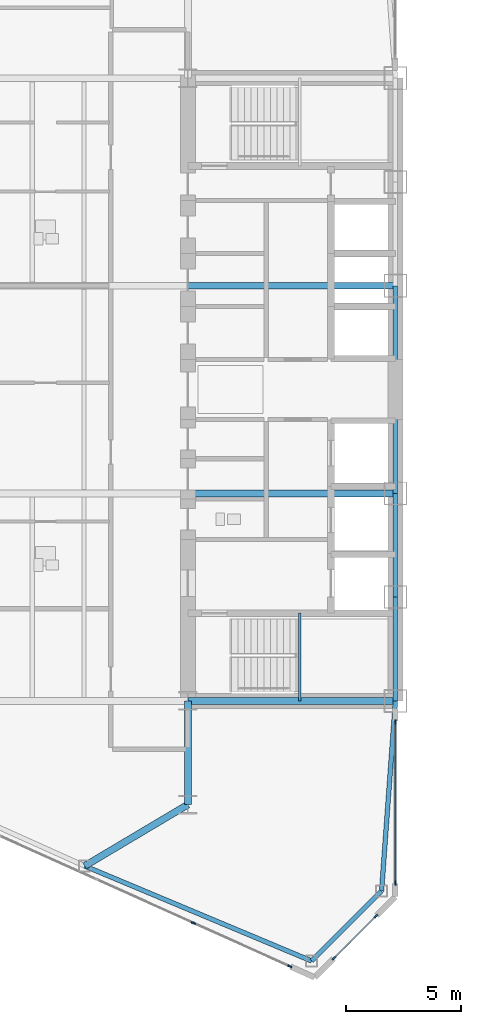
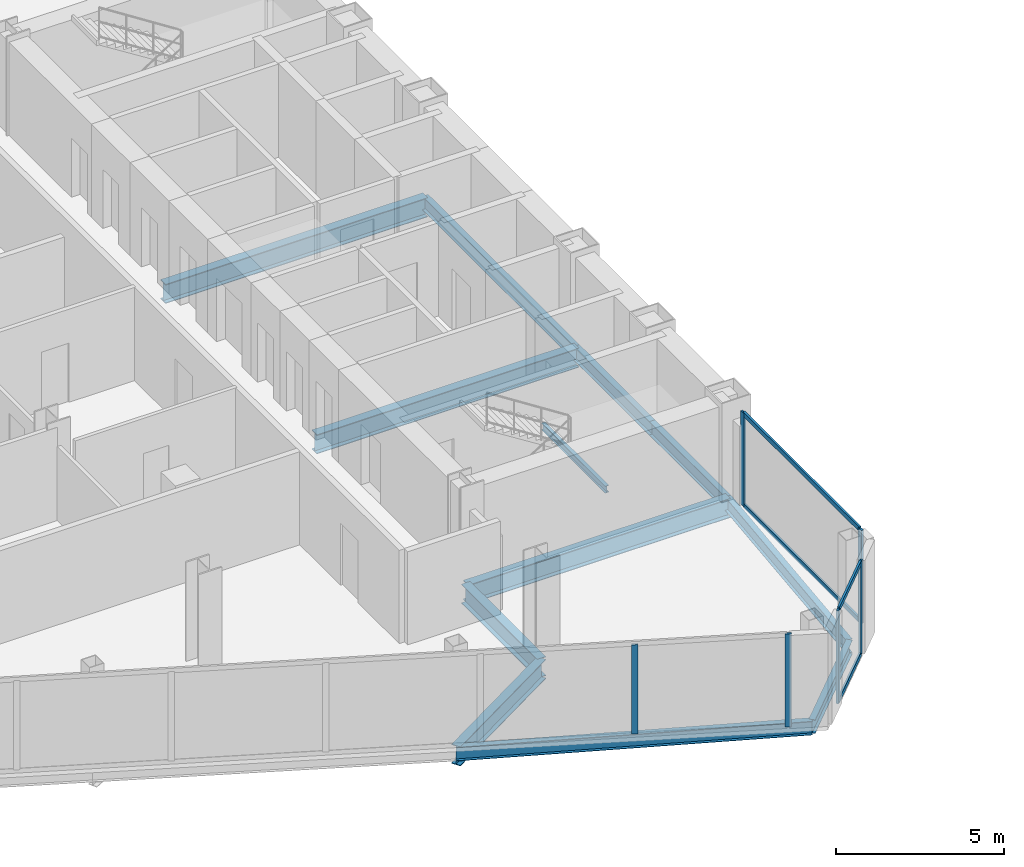
# One storey, part 6 of 27: 12 beams, 10 members, 3 elements without a shape of their own.
"""IFC4 building model written with IfcOpenShell, lengths in metres."""

import ifcopenshell
import ifcopenshell.guid

model = None  # the IFC model being written
_history = None  # IfcOwnerHistory: only IFC2X3 demands one
_inside = {}  # id of a spatial element -> (the spatial element, [elements in it])
_under = {}  # id of a project, library or spatial element -> (it, [spatial elements below it])
_declared = {}  # id of a project -> (the project, [libraries it declares])
_typed = {}  # id of a type object -> (the type object, [elements of that type])
_made_of = {}  # id of a material, layer set ... -> (it, [elements and type objects made of it])


def new_model(schema):
    """Start an empty IFC model of exactly this schema.

    Asked for "IFC4X3", IfcOpenShell would pick the latest addendum, in which some entities
    have other attributes; the version numbers below select the first issue.
    IFC2X3 requires an IfcOwnerHistory on every rooted entity: one is made here for all.
    """
    global model, _history
    if schema == "IFC4X3":
        model = ifcopenshell.file(schema_version=(4, 3, 0, 0))
    else:
        model = ifcopenshell.file(schema=schema)
    _inside.clear()
    _under.clear()
    _declared.clear()
    _typed.clear()
    _made_of.clear()
    _history = None
    if model.schema == "IFC2X3":
        org = make("IfcOrganization", Name="unknown")
        user = make(
            "IfcPersonAndOrganization",
            ThePerson=make("IfcPerson", FamilyName="unknown"),
            TheOrganization=org,
        )
        app = make(
            "IfcApplication",
            ApplicationDeveloper=org,
            Version="unknown",
            ApplicationFullName="unknown",
            ApplicationIdentifier="unknown",
        )
        _history = make(
            "IfcOwnerHistory",
            OwningUser=user,
            OwningApplication=app,
            ChangeAction="ADDED",
            CreationDate=0,
        )
    return model


def make(cls, **values):
    """One entity of the class cls with the attributes given. An attribute that is None is left unset."""
    return model.create_entity(
        cls, **{name: value for name, value in values.items() if value is not None}
    )


def rooted(cls, **values):
    """An entity with a GlobalId (a new one), such as an element, a storey or a relation."""
    return make(cls, GlobalId=ifcopenshell.guid.new(), OwnerHistory=_history, **values)


def si_unit(unit_type, name, prefix=None):
    """IfcSIUnit, for example si_unit("LENGTHUNIT", "METRE", prefix="MILLI")."""
    return make("IfcSIUnit", UnitType=unit_type, Prefix=prefix, Name=name)


def assignment(units):
    """IfcUnitAssignment: the units of a project."""
    return None if units is None else make("IfcUnitAssignment", Units=units)


def point(xyz):
    """IfcCartesianPoint."""
    return None if xyz is None else make("IfcCartesianPoint", Coordinates=xyz)


def direction(xyz):
    """IfcDirection."""
    return None if xyz is None else make("IfcDirection", DirectionRatios=xyz)


def frame(location, z_axis=None, x_axis=None):
    """IfcAxis2Placement3D, a coordinate frame: its origin and axes. An axis left out is left unset."""
    return make(
        "IfcAxis2Placement3D",
        Location=point(location),
        Axis=direction(z_axis),
        RefDirection=direction(x_axis),
    )


def frame_2d(location, x_axis=None):
    """IfcAxis2Placement2D, a coordinate frame in the plane: its origin and x axis."""
    return make(
        "IfcAxis2Placement2D", Location=point(location), RefDirection=direction(x_axis)
    )


def origin():
    """The frame at (0, 0, 0) with its axes left unset."""
    return frame((0.0, 0.0, 0.0))


def origin_2d():
    """The frame at (0, 0) in the plane with its x axis left unset."""
    return frame_2d((0.0, 0.0))


def place(relative_to, where):
    """IfcLocalPlacement: puts the frame where relative to a parent placement (None: the world)."""
    return make(
        "IfcLocalPlacement", PlacementRelTo=relative_to, RelativePlacement=where
    )


def context(
    kind, dimensions, precision=None, world=None, true_north=None, identifier=None
):
    """IfcGeometricRepresentationContext, for example the 3D "Model" context."""
    return make(
        "IfcGeometricRepresentationContext",
        ContextIdentifier=identifier,
        ContextType=kind,
        CoordinateSpaceDimension=dimensions,
        Precision=precision,
        WorldCoordinateSystem=world,
        TrueNorth=true_north,
    )


def subcontext(parent, identifier, kind, view, scale=None):
    """IfcGeometricRepresentationSubContext, for example "Body" below "Model"."""
    return make(
        "IfcGeometricRepresentationSubContext",
        ContextIdentifier=identifier,
        ContextType=kind,
        ParentContext=parent,
        TargetScale=scale,
        TargetView=view,
    )


def project(units=None, contexts=None):
    """IfcProject with its units and contexts."""
    return rooted(
        "IfcProject",
        Name="project",
        RepresentationContexts=contexts,
        UnitsInContext=assignment(units),
    )


def spatial(cls, under=None, at=None, **own):
    """A site, building, storey or space (cls), placed at a placement, below another one or the project."""
    s = rooted(cls, ObjectPlacement=at, **own)
    if under is not None:
        _under.setdefault(under.id(), (under, []))[1].append(s)
    return s


def profile(cls, at=None, kind="AREA", **sizes):
    """A parametric profile (cls). Its sizes go by their IFC names, for example OverallWidth=200.0."""
    return make(cls, ProfileType=kind, Position=at, **sizes)


def rectangle(**sizes):
    """IfcRectangleProfileDef."""
    return profile("IfcRectangleProfileDef", **sizes)


def i_section(**sizes):
    """IfcIShapeProfileDef."""
    return profile("IfcIShapeProfileDef", **sizes)


def extrude(swept, where, along, depth):
    """IfcExtrudedAreaSolid: the profile swept, set in the frame where, extruded along a direction by depth."""
    return make(
        "IfcExtrudedAreaSolid",
        SweptArea=swept,
        Position=where,
        ExtrudedDirection=direction(along),
        Depth=depth,
    )


def shape(context_of_items, identifier, shape_type, items):
    """IfcShapeRepresentation: the items that make up one representation, for example the "Body"."""
    return make(
        "IfcShapeRepresentation",
        ContextOfItems=context_of_items,
        RepresentationIdentifier=identifier,
        RepresentationType=shape_type,
        Items=items,
    )


def source(mapping_origin, context_of_items, identifier, shape_type, items):
    """IfcRepresentationMap: a shape defined once, which mapped items show again and again."""
    return make(
        "IfcRepresentationMap",
        MappingOrigin=mapping_origin,
        MappedRepresentation=shape(context_of_items, identifier, shape_type, items),
    )


def transform(
    local_origin,
    x_axis=None,
    y_axis=None,
    z_axis=None,
    scale=None,
    scale2=None,
    scale3=None,
    uniform=True,
):
    """IfcCartesianTransformationOperator3D, or its non-uniform kind. x_axis, y_axis, z_axis: its Axis1, 2, 3."""
    if uniform:
        return make(
            "IfcCartesianTransformationOperator3D",
            Axis1=direction(x_axis),
            Axis2=direction(y_axis),
            LocalOrigin=point(local_origin),
            Scale=scale,
            Axis3=direction(z_axis),
        )
    return make(
        "IfcCartesianTransformationOperator3DnonUniform",
        Axis1=direction(x_axis),
        Axis2=direction(y_axis),
        LocalOrigin=point(local_origin),
        Scale=scale,
        Axis3=direction(z_axis),
        Scale2=scale2,
        Scale3=scale3,
    )


def mapped(mapping_source, mapping_target):
    """IfcMappedItem: shows the shape of a source again, moved by a transform."""
    return make(
        "IfcMappedItem", MappingSource=mapping_source, MappingTarget=mapping_target
    )


def material(Name=None, Category=None):
    """IfcMaterial."""
    return make("IfcMaterial", Name=Name, Category=Category)


def layer(
    of_material, thickness, ventilated=None, Name=None, Category=None, Priority=None
):
    """IfcMaterialLayer: one layer of a wall or slab, of a material (None: an air gap)."""
    return make(
        "IfcMaterialLayer",
        Material=of_material,
        LayerThickness=thickness,
        IsVentilated=ventilated,
        Name=Name,
        Category=Category,
        Priority=Priority,
    )


def layer_set(layers, Name=None):
    """IfcMaterialLayerSet."""
    return make("IfcMaterialLayerSet", MaterialLayers=layers, LayerSetName=Name)


def material_profile(
    of_material, cross_section, Name=None, Category=None, Priority=None
):
    """IfcMaterialProfile: a cross section and its material."""
    return make(
        "IfcMaterialProfile",
        Name=Name,
        Material=of_material,
        Profile=cross_section,
        Priority=Priority,
        Category=Category,
    )


def profile_set(profiles, Name=None, composite=None):
    """IfcMaterialProfileSet."""
    return make(
        "IfcMaterialProfileSet",
        Name=Name,
        MaterialProfiles=profiles,
        CompositeProfile=composite,
    )


def made_of(thing, what):
    """Note that an element or type object is made of a material, layer set ...; save() writes the relation."""
    if what is not None:
        _made_of.setdefault(what.id(), (what, []))[1].append(thing)
    return thing


def type_object(cls, material=None, **own):
    """A type object (cls), such as IfcWallType, which elements share."""
    return made_of(rooted(cls, **own), material)


def type_shapes(of_type, sources):
    """Give a type object the sources (RepresentationMaps) that its elements show as mapped items."""
    of_type.RepresentationMaps = sources


def element(
    cls,
    number,
    at=None,
    inside=None,
    cuts=None,
    type_object=None,
    material=None,
    context=None,
    identifier="Body",
    shape_type=None,
    held_by="IfcProductDefinitionShape",
    body=None,
    shapes=None,
    **own,
):
    """One element of the class cls, such as IfcWall. Its Tag is "e" and its number.

    at: its placement. inside: the storey or other place that contains it. cuts: it is an
    opening in that element (IfcRelVoidsElement). A single representation is given by context,
    identifier, shape_type and body (its items); several are given by shapes. held_by: the class
    of the entity that holds the representations. save() writes the other relations.
    """
    e = rooted(cls, Tag="e%d" % number, ObjectPlacement=at, **own)
    if body is not None:
        shapes = [shape(context, identifier, shape_type, body)]
    if shapes is not None:
        e.Representation = make(held_by, Representations=shapes)
    if inside is not None:
        _inside.setdefault(inside.id(), (inside, []))[1].append(e)
    if cuts is not None:
        rooted(
            "IfcRelVoidsElement", RelatingBuildingElement=cuts, RelatedOpeningElement=e
        )
    if type_object is not None:
        _typed.setdefault(type_object.id(), (type_object, []))[1].append(e)
    return made_of(e, material)


def aggregate(whole, parts):
    """IfcRelAggregates: a whole, such as a stair, and the parts it consists of."""
    return rooted("IfcRelAggregates", RelatingObject=whole, RelatedObjects=parts)


def save(model, path):
    """Write the relations noted so far, then the file.

    IfcRelAggregates (storeys below a building ...), IfcRelContainedInSpatialStructure (elements
    in a storey), IfcRelDefinesByType, IfcRelAssociatesMaterial and IfcRelDeclares: one each for
    every whole, place, type object, material and project.
    """
    for whole, parts in _under.values():
        aggregate(whole, parts)
    for where, things in _inside.values():
        rooted(
            "IfcRelContainedInSpatialStructure",
            RelatedElements=things,
            RelatingStructure=where,
        )
    for kind, things in _typed.values():
        rooted("IfcRelDefinesByType", RelatedObjects=things, RelatingType=kind)
    for what, things in _made_of.values():
        rooted("IfcRelAssociatesMaterial", RelatedObjects=things, RelatingMaterial=what)
    for by, libraries in _declared.values():
        rooted("IfcRelDeclares", RelatingContext=by, RelatedDefinitions=libraries)
    model.write(path)


model = new_model("IFC4")

# Units and contexts
model_context = context("Model", 3, precision=1e-05, world=origin(), true_north=direction((0.0, 1.0)))
body_context = subcontext(model_context, "Body", "Model", "MODEL_VIEW")
ifc_project = project(units=[si_unit("LENGTHUNIT", "METRE"), si_unit("AREAUNIT", "SQUARE_METRE"), si_unit("VOLUMEUNIT", "CUBIC_METRE"), si_unit("PLANEANGLEUNIT", "RADIAN"), si_unit("MASSUNIT", "GRAM", prefix="KILO")], contexts=[model_context])

# Site, building, storey
site_placement = place(None, origin())
site = spatial("IfcSite", under=ifc_project, at=site_placement, CompositionType="ELEMENT")
building_placement = place(site_placement, origin())
building = spatial("IfcBuilding", under=site, at=building_placement, Name="Seokmaru Belvedere", CompositionType="ELEMENT")
storey_placement = place(building_placement, frame((0.0, 0.0, 80.10009765625)))
storey = spatial("IfcBuildingStorey", under=building, at=storey_placement, Name="L21", CompositionType="ELEMENT", Elevation=80.10009765625)

# Beams
ifc_material_1 = material(Name="Steel SM355 (355 MPa)", Category="steel")
ifc_material_profile_1 = material_profile(ifc_material_1, i_section(OverallWidth=0.199951171875, OverallDepth=0.5, WebThickness=0.010009765625, FlangeThickness=0.01611328125, at=origin_2d()), Name="H-500x200x10x16")
ifc_profile_set_1 = profile_set([ifc_material_profile_1], Name="Steel SM355 (355 MPa)")
beam_type_1 = type_object("IfcBeamType", Name="Perimeter Spandrel Beam H-500", PredefinedType="SPANDREL", material=ifc_profile_set_1)
shared_shape_1 = source(origin(), body_context, "Body", "SweptSolid", [
    extrude(i_section(OverallWidth=0.199951171875, OverallDepth=0.5, WebThickness=0.010009765625, FlangeThickness=0.01611328125, at=origin_2d()), origin(), (0.0, 0.0, 1.0), 4.5),
])
for number, where, z_axis, x_axis, name in (
    (1, (-27.5, -13.5, -0.47021484375), (0.0, 1.0, 0.0), (-1.0, 0.0, 0.0), "L21 W Portal Spine Spandrel 1"),
    (2, (-27.5, -9.0, -0.47021484375), (0.0, 1.0, 0.0), (-1.0, 0.0, 0.0), "L21 W Portal Spine Spandrel 2"),
):
    element("IfcBeam", number, at=place(storey_placement, frame(where, z_axis=z_axis, x_axis=x_axis)), inside=storey, type_object=beam_type_1, Name=name, PredefinedType="SPANDREL", context=body_context, shape_type="MappedRepresentation", body=[
        mapped(shared_shape_1, transform((0.0, 0.0, 0.0), scale=1.0)),
    ])
shared_shape_2 = source(origin(), body_context, "Body", "SweptSolid", [
    extrude(i_section(OverallWidth=0.199951171875, OverallDepth=0.5, WebThickness=0.010009765625, FlangeThickness=0.01611328125, at=origin_2d()), origin(), (0.0, 0.0, 1.0), 9.0),
])
beam_1_placement = place(storey_placement, frame((-27.5, -4.5, -0.47021484375), z_axis=(0.0, 1.0, 0.0), x_axis=(-1.0, 0.0, 0.0)))
element("IfcBeam", 3, at=beam_1_placement, inside=storey, type_object=beam_type_1, Name="L21 W Portal Spine Spandrel 3", PredefinedType="SPANDREL", context=body_context, shape_type="MappedRepresentation", body=[
    mapped(shared_shape_2, transform((0.0, 0.0, 0.0), scale=1.0)),
])
ifc_material_profile_2 = material_profile(ifc_material_1, i_section(OverallWidth=0.300048828125, OverallDepth=0.699951171875, WebThickness=0.012939453125, FlangeThickness=0.02392578125, at=origin_2d()), Name="H-700x300x13x24")
ifc_profile_set_2 = profile_set([ifc_material_profile_2], Name="Steel SM355 (355 MPa)")
beam_type_2 = type_object("IfcBeamType", Name="Primary Floor Girder H-700", PredefinedType="BEAM", material=ifc_profile_set_2)
shared_shape_3 = source(origin(), body_context, "Body", "SweptSolid", [
    extrude(i_section(OverallWidth=0.300048828125, OverallDepth=0.699951171875, WebThickness=0.012939453125, FlangeThickness=0.02392578125, at=origin_2d()), origin(), (0.0, 0.0, 1.0), 4.5),
])
beam_2_placement = place(storey_placement, frame((-36.5, -18.0, -0.570068359375), z_axis=(0.0, 1.0, 0.0), x_axis=(-1.0, 0.0, 0.0)))
element("IfcBeam", 4, at=beam_2_placement, inside=storey, type_object=beam_type_2, Name="L21 W Core Shoulder Girder S", PredefinedType="BEAM", context=body_context, shape_type="MappedRepresentation", body=[
    mapped(shared_shape_3, transform((0.0, 0.0, 0.0), scale=1.0)),
])
shared_shape_4 = source(origin(), body_context, "Body", "SweptSolid", [
    extrude(i_section(OverallWidth=0.300048828125, OverallDepth=0.699951171875, WebThickness=0.012939453125, FlangeThickness=0.02392578125, at=origin_2d()), origin(), (0.0, 0.0, 1.0), 9.0),
])
for number, where, z_axis, x_axis, name in (
    (5, (-36.5, -13.5, -0.570068359375), (1.0, 0.0, 0.0), (0.0, 1.0, 0.0), "L21 W Core Tie Girder 1"),
    (6, (-36.5, -4.5, -0.570068359375), (1.0, 0.0, 0.0), (0.0, 1.0, 0.0), "L21 W Core Tie Girder 2"),
    (7, (-36.5, 4.5, -0.570068359375), (1.0, 0.0, 0.0), (0.0, 1.0, 0.0), "L21 W Core Tie Girder 3"),
):
    element("IfcBeam", number, at=place(storey_placement, frame(where, z_axis=z_axis, x_axis=x_axis)), inside=storey, type_object=beam_type_2, Name=name, PredefinedType="BEAM", context=body_context, shape_type="MappedRepresentation", body=[
        mapped(shared_shape_4, transform((0.0, 0.0, 0.0), scale=1.0)),
    ])
shared_shape_5 = source(origin(), body_context, "Body", "SweptSolid", [
    extrude(i_section(OverallWidth=0.199951171875, OverallDepth=0.5, WebThickness=0.010009765625, FlangeThickness=0.01611328125, at=origin_2d()), origin(), (0.0, 0.0, 1.0), 10.66943359375),
])
beam_3_placement = place(storey_placement, frame((-31.13134765625, -24.782958984375, -0.47021484375), z_axis=(-0.922375393128, 0.386294750355, 0.0), x_axis=(-0.386294750355, -0.922375393128, 0.0)))
element("IfcBeam", 8, at=beam_3_placement, inside=storey, type_object=beam_type_1, Name="L21 W Faceted Flank Spandrel S-1", PredefinedType="SPANDREL", context=body_context, shape_type="MappedRepresentation", body=[
    mapped(shared_shape_5, transform((0.0, 0.0, 0.0), scale=1.0)),
])
shared_shape_6 = source(origin(), body_context, "Body", "SweptSolid", [
    extrude(i_section(OverallWidth=0.199951171875, OverallDepth=0.5, WebThickness=0.010009765625, FlangeThickness=0.01611328125, at=origin_2d()), origin(), (0.0, 0.0, 1.0), 4.287109375),
])
beam_4_placement = place(storey_placement, frame((-31.13134765625, -24.782958984375, -0.47021484375), z_axis=(0.707078306132, 0.707135255094, 0.0), x_axis=(-0.707135255094, 0.707078306132, 0.0)))
element("IfcBeam", 9, at=beam_4_placement, inside=storey, type_object=beam_type_1, Name="L21 W Shoulder Chamfer Spandrel S", PredefinedType="SPANDREL", context=body_context, shape_type="MappedRepresentation", body=[
    mapped(shared_shape_6, transform((0.0, 0.0, 0.0), scale=1.0)),
])
shared_shape_7 = source(origin(), body_context, "Body", "SweptSolid", [
    extrude(i_section(OverallWidth=0.199951171875, OverallDepth=0.5, WebThickness=0.010009765625, FlangeThickness=0.01611328125, at=origin_2d()), origin(), (0.0, 0.0, 1.0), 8.273193359375),
])
type_shapes(beam_type_1, [shared_shape_1, shared_shape_2, shared_shape_5, shared_shape_6, shared_shape_7])
beam_5_placement = place(storey_placement, frame((-28.10009765625, -21.75146484375, -0.47021484375), z_axis=(0.072534628348, 0.99736589459, 0.0), x_axis=(-0.99736589459, 0.072534628348, 0.0)))
element("IfcBeam", 10, at=beam_5_placement, inside=storey, type_object=beam_type_1, Name="L21 W Shoulder Spine Spandrel S", PredefinedType="SPANDREL", context=body_context, shape_type="MappedRepresentation", body=[
    mapped(shared_shape_7, transform((0.0, 0.0, 0.0), scale=1.0)),
])
shared_shape_8 = source(origin(), body_context, "Body", "SweptSolid", [
    extrude(i_section(OverallWidth=0.300048828125, OverallDepth=0.699951171875, WebThickness=0.012939453125, FlangeThickness=0.02392578125, at=origin_2d()), origin(), (0.0, 0.0, 1.0), 5.20458984375),
])
type_shapes(beam_type_2, [shared_shape_3, shared_shape_4, shared_shape_8])
beam_6_placement = place(storey_placement, frame((-40.97265625, -20.661376953125, -0.570068359375), z_axis=(0.859370434188, 0.511353553662, 0.0), x_axis=(-0.511353553662, 0.859370434188, 0.0)))
element("IfcBeam", 11, at=beam_6_placement, inside=storey, type_object=beam_type_2, Name="L21 W Flank Radial Floor Girder S-1", PredefinedType="BEAM", context=body_context, shape_type="MappedRepresentation", body=[
    mapped(shared_shape_8, transform((0.0, 0.0, 0.0), scale=1.0)),
])

# Curtain wall, members
ifc_material_2 = material(Name="Bronze Triple Insulating Glass", Category="glass")
ifc_layer = layer(ifc_material_2, 0.195068359375)
ifc_layer_set = layer_set([ifc_layer], Name="Bronze Triple Insulating Glass")
curtain_wall_type = type_object("IfcCurtainWallType", Name="Lower-Mid Tapered Curtain Wall System CW-3", PredefinedType="NOTDEFINED", material=ifc_layer_set)
curtain_wall_1_placement = place(storey_placement, origin())
curtain_wall_1 = element("IfcCurtainWall", 12, at=curtain_wall_1_placement, inside=storey, type_object=curtain_wall_type, Name="L21 Curtain Wall WSP_1", PredefinedType="NOTDEFINED")
ifc_material_3 = material(Name="Anodised Bronze Aluminium", Category="aluminium")
ifc_material_profile_3 = material_profile(ifc_material_3, rectangle(XDim=0.070068359375, YDim=0.195068359375, at=origin_2d()), Name="CW-M-70x195")
ifc_profile_set_3 = profile_set([ifc_material_profile_3], Name="Anodised Bronze Aluminium")
member_type_1 = type_object("IfcMemberType", Name="Bronze Unitised Mullion 70x195", PredefinedType="MULLION", material=ifc_profile_set_3)
shared_shape_9 = source(origin(), body_context, "Body", "SweptSolid", [
    extrude(rectangle(XDim=0.070068359375, YDim=0.195068359375, at=origin_2d()), origin(), (0.0, 0.0, 1.0), 3.3798828125),
])
member_1_placement = place(storey_placement, frame((-27.5, -21.39501953125, 0.0), z_axis=(0.0, 0.0, 1.0), x_axis=(-1.0, 0.0, 0.0)))
member_1 = element("IfcMember", 13, at=member_1_placement, type_object=member_type_1, Name="CW:L21:WSP_1 Mullion 1", PredefinedType="MULLION", context=body_context, shape_type="MappedRepresentation", body=[
    mapped(shared_shape_9, transform((0.0, 0.0, 0.0), scale=1.0)),
])
member_2_placement = place(storey_placement, frame((-27.5, -14.4150390625, 0.0), z_axis=(0.0, 0.0, 1.0), x_axis=(-1.0, 0.0, 0.0)))
member_2 = element("IfcMember", 14, at=member_2_placement, type_object=member_type_1, Name="CW:L21:WSP_1 Mullion 2", PredefinedType="MULLION", context=body_context, shape_type="MappedRepresentation", body=[
    mapped(shared_shape_9, transform((0.0, 0.0, 0.0), scale=1.0)),
])

# Curtain wall, member
curtain_wall_2_placement = place(storey_placement, origin())
curtain_wall_2 = element("IfcCurtainWall", 15, at=curtain_wall_2_placement, inside=storey, type_object=curtain_wall_type, Name="L21 Curtain Wall WF5", PredefinedType="NOTDEFINED")
member_3_placement = place(storey_placement, frame((-32.08056640625, -25.013671875, 0.0), z_axis=(0.0, 0.0, 1.0), x_axis=(0.41036554765, 0.91192111353, 0.0)))
member_3 = element("IfcMember", 16, at=member_3_placement, type_object=member_type_1, Name="CW:L21:WF5 Mullion 10", PredefinedType="MULLION", context=body_context, shape_type="MappedRepresentation", body=[
    mapped(shared_shape_9, transform((0.0, 0.0, 0.0), scale=1.0)),
])

# Curtain wall, members
curtain_wall_3_placement = place(storey_placement, origin())
curtain_wall_3 = element("IfcCurtainWall", 17, at=curtain_wall_3_placement, inside=storey, type_object=curtain_wall_type, Name="L21 Curtain Wall WF6", PredefinedType="NOTDEFINED")
member_4_placement = place(storey_placement, frame((-30.162109375, -24.662109375, 0.0), z_axis=(0.0, 0.0, 1.0), x_axis=(-0.707106781187, 0.707106781187, 0.0)))
member_4 = element("IfcMember", 18, at=member_4_placement, type_object=member_type_1, Name="CW:L21:WF6 Mullion 1", PredefinedType="MULLION", context=body_context, shape_type="MappedRepresentation", body=[
    mapped(shared_shape_9, transform((0.0, 0.0, 0.0), scale=1.0)),
])
member_5_placement = place(storey_placement, frame((-28.337890625, -22.837890625, 0.0), z_axis=(0.0, 0.0, 1.0), x_axis=(-0.707106781187, 0.707106781187, 0.0)))
member_5 = element("IfcMember", 19, at=member_5_placement, type_object=member_type_1, Name="CW:L21:WF6 Mullion 2", PredefinedType="MULLION", context=body_context, shape_type="MappedRepresentation", body=[
    mapped(shared_shape_9, transform((0.0, 0.0, 0.0), scale=1.0)),
])

# Member
ifc_material_profile_4 = material_profile(ifc_material_3, rectangle(XDim=0.070068359375, YDim=0.1650390625, at=origin_2d()), Name="CW-T-70x165")
ifc_profile_set_4 = profile_set([ifc_material_profile_4], Name="Anodised Bronze Aluminium")
member_type_2 = type_object("IfcMemberType", Name="Bronze Unitised Transom 70x165", PredefinedType="USERDEFINED", material=ifc_profile_set_4)
shared_shape_10 = source(origin(), body_context, "Body", "SweptSolid", [
    extrude(rectangle(XDim=0.070068359375, YDim=0.1650390625, at=origin_2d()), origin(), (0.0, 0.0, 1.0), 6.91015625),
])
member_6_placement = place(storey_placement, frame((-27.5, -21.360107421875, 0.034912109375), z_axis=(0.0, 1.0, 0.0), x_axis=(-1.0, 0.0, 0.0)))
member_6 = element("IfcMember", 20, at=member_6_placement, type_object=member_type_2, Name="CW:L21:WSP_1 Continuous Transom 1", ObjectType="TRANSOM", PredefinedType="USERDEFINED", context=body_context, shape_type="MappedRepresentation", body=[
    mapped(shared_shape_10, transform((0.0, 0.0, 0.0), scale=1.0)),
])

member_7_placement = place(storey_placement, frame((-27.5, -21.360107421875, 3.344970703125), z_axis=(0.0, 1.0, 0.0), x_axis=(-1.0, 0.0, 0.0)))
member_7 = element("IfcMember", 21, at=member_7_placement, type_object=member_type_2, Name="CW:L21:WSP_1 Continuous Transom 2", ObjectType="TRANSOM", PredefinedType="USERDEFINED", context=body_context, shape_type="MappedRepresentation", body=[
    mapped(shared_shape_10, transform((0.0, 0.0, 0.0), scale=1.0)),
])

aggregate(curtain_wall_1, [member_1, member_2, member_6, member_7])

shared_shape_11 = source(origin(), body_context, "Body", "SweptSolid", [
    extrude(rectangle(XDim=0.070068359375, YDim=0.1650390625, at=origin_2d()), origin(), (0.0, 0.0, 1.0), 2.509521484375),
])
type_shapes(member_type_2, [shared_shape_10, shared_shape_11])
member_8_placement = place(storey_placement, frame((-30.13720703125, -24.63720703125, 0.034912109375), z_axis=(0.707106781187, 0.707106781187, 0.0), x_axis=(-0.707106781187, 0.707106781187, 0.0)))
member_8 = element("IfcMember", 22, at=member_8_placement, type_object=member_type_2, Name="CW:L21:WF6 Continuous Transom 1", ObjectType="TRANSOM", PredefinedType="USERDEFINED", context=body_context, shape_type="MappedRepresentation", body=[
    mapped(shared_shape_11, transform((0.0, 0.0, 0.0), scale=1.0)),
])

member_9_placement = place(storey_placement, frame((-30.13720703125, -24.63720703125, 3.344970703125), z_axis=(0.707106781187, 0.707106781187, 0.0), x_axis=(-0.707106781187, 0.707106781187, 0.0)))
member_9 = element("IfcMember", 23, at=member_9_placement, type_object=member_type_2, Name="CW:L21:WF6 Continuous Transom 2", ObjectType="TRANSOM", PredefinedType="USERDEFINED", context=body_context, shape_type="MappedRepresentation", body=[
    mapped(shared_shape_11, transform((0.0, 0.0, 0.0), scale=1.0)),
])

aggregate(curtain_wall_3, [member_4, member_5, member_8, member_9])

shared_shape_12 = source(origin(), body_context, "Body", "SweptSolid", [
    extrude(rectangle(XDim=0.070068359375, YDim=0.195068359375, at=origin_2d()), origin(), (0.0, 0.0, 1.0), 3.239990234375),
])
type_shapes(member_type_1, [shared_shape_9, shared_shape_12])
member_10_placement = place(storey_placement, frame((-36.260009765625, -23.133056640625, 0.06982421875), z_axis=(0.0, 0.0, 1.0), x_axis=(0.41036554765, 0.91192111353, 0.0)))
member_10 = element("IfcMember", 24, at=member_10_placement, type_object=member_type_1, Name="CW:L21:WF5 Mullion 9", PredefinedType="MULLION", context=body_context, shape_type="MappedRepresentation", body=[
    mapped(shared_shape_12, transform((0.0, 0.0, 0.0), scale=1.0)),
])

aggregate(curtain_wall_2, [member_10, member_3])

# Beam
ifc_material_profile_5 = material_profile(ifc_material_1, i_section(OverallWidth=0.125, OverallDepth=0.25, WebThickness=0.006103515625, FlangeThickness=0.009033203125, at=origin_2d()), Name="H-250x125x6x9")
ifc_profile_set_5 = profile_set([ifc_material_profile_5], Name="Steel SM355 (355 MPa)")
beam_type_3 = type_object("IfcBeamType", Name="Stair Mid-Landing Support Beam H-250", PredefinedType="JOIST", material=ifc_profile_set_5)
shared_shape_13 = source(origin(), body_context, "Body", "SweptSolid", [
    extrude(i_section(OverallWidth=0.125, OverallDepth=0.25, WebThickness=0.006103515625, FlangeThickness=0.009033203125, at=origin_2d()), origin(), (0.0, 0.0, 1.0), 3.800048828125),
])
type_shapes(beam_type_3, [shared_shape_13])
beam_7_placement = place(storey_placement, frame((-31.64990234375, -13.5, 1.474853515625), z_axis=(0.0, 1.0, 0.0), x_axis=(-1.0, 0.0, 0.0)))
element("IfcBeam", 25, at=beam_7_placement, inside=storey, type_object=beam_type_3, Name="L21 Stair ST-W1 Mid-Landing Support Beam 1", PredefinedType="JOIST", context=body_context, shape_type="MappedRepresentation", body=[
    mapped(shared_shape_13, transform((0.0, 0.0, 0.0), scale=1.0)),
])

save(model, "model.ifc")
